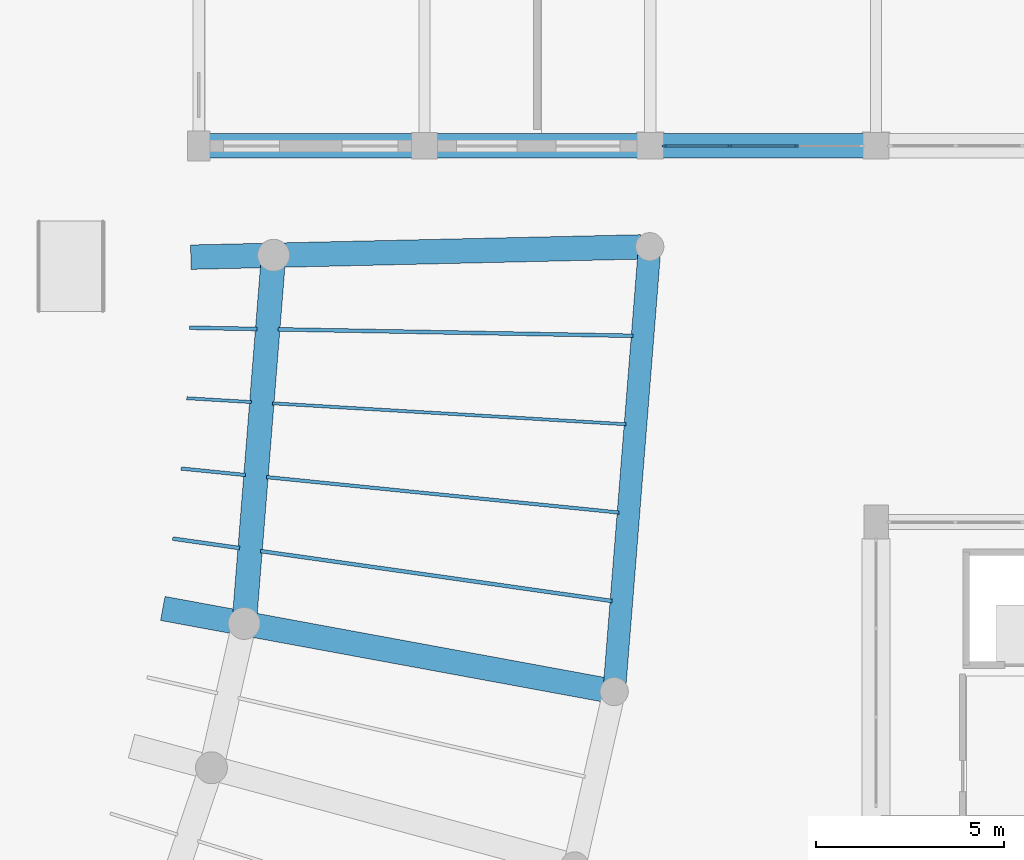
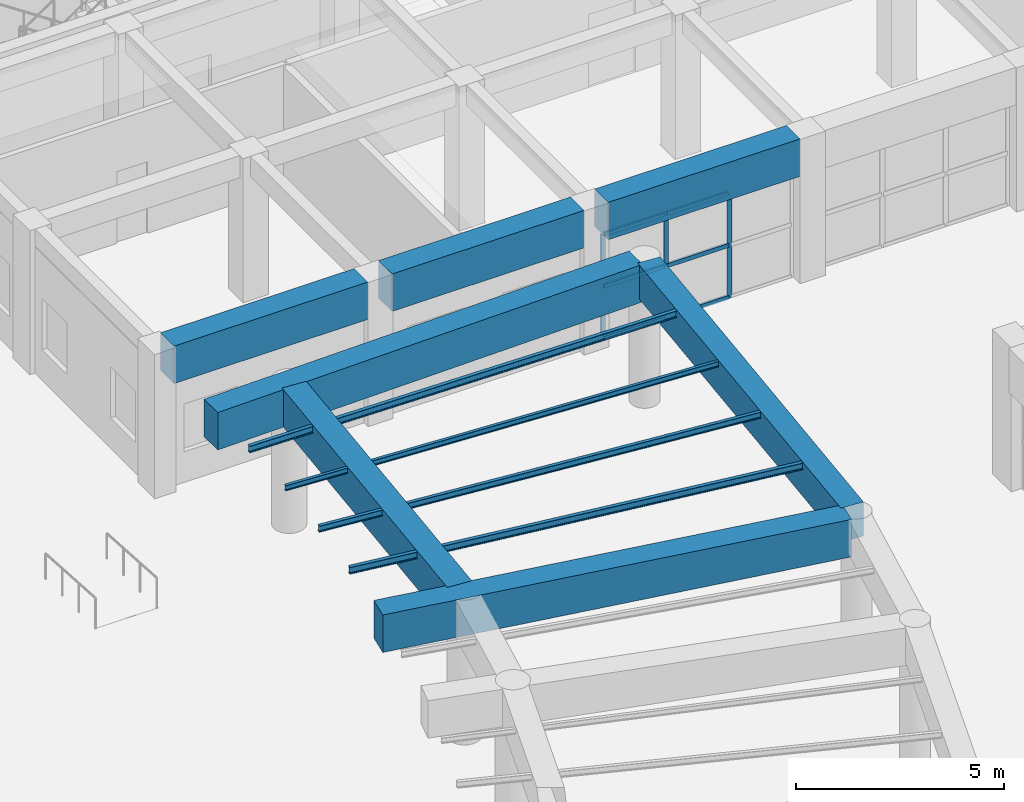
# One storey, part 22 of 76: 15 beams, 9 members, 1 element without a shape of its own.
"""IFC4 building model written with IfcOpenShell, lengths in metres."""

import ifcopenshell
import ifcopenshell.guid

model = None  # the IFC model being written
_history = None  # IfcOwnerHistory: only IFC2X3 demands one
_inside = {}  # id of a spatial element -> (the spatial element, [elements in it])
_under = {}  # id of a project, library or spatial element -> (it, [spatial elements below it])
_declared = {}  # id of a project -> (the project, [libraries it declares])
_typed = {}  # id of a type object -> (the type object, [elements of that type])
_made_of = {}  # id of a material, layer set ... -> (it, [elements and type objects made of it])


def new_model(schema):
    """Start an empty IFC model of exactly this schema.

    Asked for "IFC4X3", IfcOpenShell would pick the latest addendum, in which some entities
    have other attributes; the version numbers below select the first issue.
    IFC2X3 requires an IfcOwnerHistory on every rooted entity: one is made here for all.
    """
    global model, _history
    if schema == "IFC4X3":
        model = ifcopenshell.file(schema_version=(4, 3, 0, 0))
    else:
        model = ifcopenshell.file(schema=schema)
    _inside.clear()
    _under.clear()
    _declared.clear()
    _typed.clear()
    _made_of.clear()
    _history = None
    if model.schema == "IFC2X3":
        org = make("IfcOrganization", Name="unknown")
        user = make(
            "IfcPersonAndOrganization",
            ThePerson=make("IfcPerson", FamilyName="unknown"),
            TheOrganization=org,
        )
        app = make(
            "IfcApplication",
            ApplicationDeveloper=org,
            Version="unknown",
            ApplicationFullName="unknown",
            ApplicationIdentifier="unknown",
        )
        _history = make(
            "IfcOwnerHistory",
            OwningUser=user,
            OwningApplication=app,
            ChangeAction="ADDED",
            CreationDate=0,
        )
    return model


def make(cls, **values):
    """One entity of the class cls with the attributes given. An attribute that is None is left unset."""
    return model.create_entity(
        cls, **{name: value for name, value in values.items() if value is not None}
    )


def rooted(cls, **values):
    """An entity with a GlobalId (a new one), such as an element, a storey or a relation."""
    return make(cls, GlobalId=ifcopenshell.guid.new(), OwnerHistory=_history, **values)


def si_unit(unit_type, name, prefix=None):
    """IfcSIUnit, for example si_unit("LENGTHUNIT", "METRE", prefix="MILLI")."""
    return make("IfcSIUnit", UnitType=unit_type, Prefix=prefix, Name=name)


def assignment(units):
    """IfcUnitAssignment: the units of a project."""
    return None if units is None else make("IfcUnitAssignment", Units=units)


def point(xyz):
    """IfcCartesianPoint."""
    return None if xyz is None else make("IfcCartesianPoint", Coordinates=xyz)


def direction(xyz):
    """IfcDirection."""
    return None if xyz is None else make("IfcDirection", DirectionRatios=xyz)


def frame(location, z_axis=None, x_axis=None):
    """IfcAxis2Placement3D, a coordinate frame: its origin and axes. An axis left out is left unset."""
    return make(
        "IfcAxis2Placement3D",
        Location=point(location),
        Axis=direction(z_axis),
        RefDirection=direction(x_axis),
    )


def frame_2d(location, x_axis=None):
    """IfcAxis2Placement2D, a coordinate frame in the plane: its origin and x axis."""
    return make(
        "IfcAxis2Placement2D", Location=point(location), RefDirection=direction(x_axis)
    )


def origin():
    """The frame at (0, 0, 0) with its axes left unset."""
    return frame((0.0, 0.0, 0.0))


def origin_2d():
    """The frame at (0, 0) in the plane with its x axis left unset."""
    return frame_2d((0.0, 0.0))


def place(relative_to, where):
    """IfcLocalPlacement: puts the frame where relative to a parent placement (None: the world)."""
    return make(
        "IfcLocalPlacement", PlacementRelTo=relative_to, RelativePlacement=where
    )


def context(
    kind, dimensions, precision=None, world=None, true_north=None, identifier=None
):
    """IfcGeometricRepresentationContext, for example the 3D "Model" context."""
    return make(
        "IfcGeometricRepresentationContext",
        ContextIdentifier=identifier,
        ContextType=kind,
        CoordinateSpaceDimension=dimensions,
        Precision=precision,
        WorldCoordinateSystem=world,
        TrueNorth=true_north,
    )


def subcontext(parent, identifier, kind, view, scale=None):
    """IfcGeometricRepresentationSubContext, for example "Body" below "Model"."""
    return make(
        "IfcGeometricRepresentationSubContext",
        ContextIdentifier=identifier,
        ContextType=kind,
        ParentContext=parent,
        TargetScale=scale,
        TargetView=view,
    )


def project(units=None, contexts=None):
    """IfcProject with its units and contexts."""
    return rooted(
        "IfcProject",
        Name="project",
        RepresentationContexts=contexts,
        UnitsInContext=assignment(units),
    )


def spatial(cls, under=None, at=None, **own):
    """A site, building, storey or space (cls), placed at a placement, below another one or the project."""
    s = rooted(cls, ObjectPlacement=at, **own)
    if under is not None:
        _under.setdefault(under.id(), (under, []))[1].append(s)
    return s


def profile(cls, at=None, kind="AREA", **sizes):
    """A parametric profile (cls). Its sizes go by their IFC names, for example OverallWidth=200.0."""
    return make(cls, ProfileType=kind, Position=at, **sizes)


def rectangle(**sizes):
    """IfcRectangleProfileDef."""
    return profile("IfcRectangleProfileDef", **sizes)


def i_section(**sizes):
    """IfcIShapeProfileDef."""
    return profile("IfcIShapeProfileDef", **sizes)


def extrude(swept, where, along, depth):
    """IfcExtrudedAreaSolid: the profile swept, set in the frame where, extruded along a direction by depth."""
    return make(
        "IfcExtrudedAreaSolid",
        SweptArea=swept,
        Position=where,
        ExtrudedDirection=direction(along),
        Depth=depth,
    )


def shape(context_of_items, identifier, shape_type, items):
    """IfcShapeRepresentation: the items that make up one representation, for example the "Body"."""
    return make(
        "IfcShapeRepresentation",
        ContextOfItems=context_of_items,
        RepresentationIdentifier=identifier,
        RepresentationType=shape_type,
        Items=items,
    )


def material(Name=None, Category=None):
    """IfcMaterial."""
    return make("IfcMaterial", Name=Name, Category=Category)


def layer(
    of_material, thickness, ventilated=None, Name=None, Category=None, Priority=None
):
    """IfcMaterialLayer: one layer of a wall or slab, of a material (None: an air gap)."""
    return make(
        "IfcMaterialLayer",
        Material=of_material,
        LayerThickness=thickness,
        IsVentilated=ventilated,
        Name=Name,
        Category=Category,
        Priority=Priority,
    )


def layer_set(layers, Name=None):
    """IfcMaterialLayerSet."""
    return make("IfcMaterialLayerSet", MaterialLayers=layers, LayerSetName=Name)


def material_profile(
    of_material, cross_section, Name=None, Category=None, Priority=None
):
    """IfcMaterialProfile: a cross section and its material."""
    return make(
        "IfcMaterialProfile",
        Name=Name,
        Material=of_material,
        Profile=cross_section,
        Priority=Priority,
        Category=Category,
    )


def profile_set(profiles, Name=None, composite=None):
    """IfcMaterialProfileSet."""
    return make(
        "IfcMaterialProfileSet",
        Name=Name,
        MaterialProfiles=profiles,
        CompositeProfile=composite,
    )


def made_of(thing, what):
    """Note that an element or type object is made of a material, layer set ...; save() writes the relation."""
    if what is not None:
        _made_of.setdefault(what.id(), (what, []))[1].append(thing)
    return thing


def type_object(cls, material=None, **own):
    """A type object (cls), such as IfcWallType, which elements share."""
    return made_of(rooted(cls, **own), material)


def element(
    cls,
    number,
    at=None,
    inside=None,
    cuts=None,
    type_object=None,
    material=None,
    context=None,
    identifier="Body",
    shape_type=None,
    held_by="IfcProductDefinitionShape",
    body=None,
    shapes=None,
    **own,
):
    """One element of the class cls, such as IfcWall. Its Tag is "e" and its number.

    at: its placement. inside: the storey or other place that contains it. cuts: it is an
    opening in that element (IfcRelVoidsElement). A single representation is given by context,
    identifier, shape_type and body (its items); several are given by shapes. held_by: the class
    of the entity that holds the representations. save() writes the other relations.
    """
    e = rooted(cls, Tag="e%d" % number, ObjectPlacement=at, **own)
    if body is not None:
        shapes = [shape(context, identifier, shape_type, body)]
    if shapes is not None:
        e.Representation = make(held_by, Representations=shapes)
    if inside is not None:
        _inside.setdefault(inside.id(), (inside, []))[1].append(e)
    if cuts is not None:
        rooted(
            "IfcRelVoidsElement", RelatingBuildingElement=cuts, RelatedOpeningElement=e
        )
    if type_object is not None:
        _typed.setdefault(type_object.id(), (type_object, []))[1].append(e)
    return made_of(e, material)


def aggregate(whole, parts):
    """IfcRelAggregates: a whole, such as a stair, and the parts it consists of."""
    return rooted("IfcRelAggregates", RelatingObject=whole, RelatedObjects=parts)


def save(model, path):
    """Write the relations noted so far, then the file.

    IfcRelAggregates (storeys below a building ...), IfcRelContainedInSpatialStructure (elements
    in a storey), IfcRelDefinesByType, IfcRelAssociatesMaterial and IfcRelDeclares: one each for
    every whole, place, type object, material and project.
    """
    for whole, parts in _under.values():
        aggregate(whole, parts)
    for where, things in _inside.values():
        rooted(
            "IfcRelContainedInSpatialStructure",
            RelatedElements=things,
            RelatingStructure=where,
        )
    for kind, things in _typed.values():
        rooted("IfcRelDefinesByType", RelatedObjects=things, RelatingType=kind)
    for what, things in _made_of.values():
        rooted("IfcRelAssociatesMaterial", RelatedObjects=things, RelatingMaterial=what)
    for by, libraries in _declared.values():
        rooted("IfcRelDeclares", RelatingContext=by, RelatedDefinitions=libraries)
    model.write(path)


model = new_model("IFC4")

# Units and contexts
model_context = context("Model", 3, precision=1e-05, world=origin(), true_north=direction((0.0, 1.0)))
body_context = subcontext(model_context, "Body", "Model", "MODEL_VIEW")
ifc_project = project(units=[si_unit("LENGTHUNIT", "METRE"), si_unit("AREAUNIT", "SQUARE_METRE"), si_unit("VOLUMEUNIT", "CUBIC_METRE"), si_unit("PLANEANGLEUNIT", "RADIAN"), si_unit("MASSUNIT", "GRAM", prefix="KILO"), si_unit("POWERUNIT", "WATT"), si_unit("THERMODYNAMICTEMPERATUREUNIT", "KELVIN")], contexts=[model_context])

# Site, building, storey
site_placement = place(None, origin())
site = spatial("IfcSite", under=ifc_project, at=site_placement, CompositionType="ELEMENT")
building_placement = place(site_placement, origin())
building = spatial("IfcBuilding", under=site, at=building_placement, Name="Ruvembo Vaulted Housing Court", CompositionType="ELEMENT")
storey_placement = place(building_placement, origin())
storey = spatial("IfcBuildingStorey", under=building, at=storey_placement, Name="L00", CompositionType="ELEMENT", Elevation=0.0)

# Beams
ifc_material_1 = material(Name="Steel S355J2", Category="steel")
ifc_material_profile_1 = material_profile(ifc_material_1, i_section(OverallWidth=0.08203125, OverallDepth=0.159912109375, WebThickness=0.0048828125, FlangeThickness=0.00732421875, FilletRadius=0.009033203125, at=origin_2d()), Name="IPE 160")
ifc_profile_set_1 = profile_set([ifc_material_profile_1], Name="Steel S355J2")
beam_type_1 = type_object("IfcBeamType", Name="BM-ST-IPE160", PredefinedType="JOIST", material=ifc_profile_set_1)
beam_1_placement = place(storey_placement, frame((59.357421875, 70.60107421875, 4.159912109375), z_axis=(-0.998249347831, 0.05914591748, 0.0), x_axis=(-0.05914591748, -0.998249347831, 0.0)))
element("IfcBeam", 1, at=beam_1_placement, inside=storey, type_object=beam_type_1, Name="Scoop SC1 L00 Interior Radial Joist 17", PredefinedType="JOIST", context=body_context, shape_type="SweptSolid", body=[
    extrude(i_section(OverallWidth=0.08203125, OverallDepth=0.159912109375, WebThickness=0.0048828125, FlangeThickness=0.00732421875, FilletRadius=0.009033203125, at=origin_2d()), origin(), (0.0, 0.0, 1.0), 9.419677734375),
])
beam_2_placement = place(storey_placement, frame((49.395263671875, 71.19140625, 4.159912109375), z_axis=(-0.998243369952, 0.059246724348, 0.0), x_axis=(-0.059246724348, -0.998243369952, 0.0)))
element("IfcBeam", 2, at=beam_2_placement, inside=storey, type_object=beam_type_1, Name="Scoop SC1 L00 Radial Balcony Outrigger Joist 17", PredefinedType="JOIST", context=body_context, shape_type="SweptSolid", body=[
    extrude(i_section(OverallWidth=0.08203125, OverallDepth=0.159912109375, WebThickness=0.0048828125, FlangeThickness=0.00732421875, FilletRadius=0.009033203125, at=origin_2d()), origin(), (0.0, 0.0, 1.0), 1.71826171875),
])
ifc_material_profile_2 = material_profile(ifc_material_1, i_section(OverallWidth=0.091064453125, OverallDepth=0.179931640625, WebThickness=0.00537109375, FlangeThickness=0.008056640625, FilletRadius=0.009033203125, at=origin_2d()), Name="IPE 180")
ifc_profile_set_2 = profile_set([ifc_material_profile_2], Name="Steel S355J2")
beam_type_2 = type_object("IfcBeamType", Name="BM-ST-IPE180", PredefinedType="JOIST", material=ifc_profile_set_2)
beam_3_placement = place(storey_placement, frame((59.169921875, 68.254150390625, 4.14990234375), z_axis=(-0.994985476129, 0.100019509557, 0.0), x_axis=(-0.100019509557, -0.994985476129, 0.0)))
element("IfcBeam", 3, at=beam_3_placement, inside=storey, type_object=beam_type_2, Name="Scoop SC1 L00 Interior Radial Joist 16", PredefinedType="JOIST", context=body_context, shape_type="SweptSolid", body=[
    extrude(i_section(OverallWidth=0.091064453125, OverallDepth=0.179931640625, WebThickness=0.00537109375, FlangeThickness=0.008056640625, FilletRadius=0.009033203125, at=origin_2d()), origin(), (0.0, 0.0, 1.0), 9.41943359375),
])
beam_4_placement = place(storey_placement, frame((49.240478515625, 69.252197265625, 4.14990234375), z_axis=(-0.994986426219, 0.10001005769, 0.0), x_axis=(-0.10001005769, -0.994986426219, 0.0)))
element("IfcBeam", 4, at=beam_4_placement, inside=storey, type_object=beam_type_2, Name="Scoop SC1 L00 Radial Balcony Outrigger Joist 16", PredefinedType="JOIST", context=body_context, shape_type="SweptSolid", body=[
    extrude(i_section(OverallWidth=0.091064453125, OverallDepth=0.179931640625, WebThickness=0.00537109375, FlangeThickness=0.008056640625, FilletRadius=0.009033203125, at=origin_2d()), origin(), (0.0, 0.0, 1.0), 1.718505859375),
])
ifc_material_profile_3 = material_profile(ifc_material_1, i_section(OverallWidth=0.10009765625, OverallDepth=0.199951171875, WebThickness=0.005615234375, FlangeThickness=0.008544921875, FilletRadius=0.011962890625, at=origin_2d()), Name="IPE 200")
ifc_profile_set_3 = profile_set([ifc_material_profile_3], Name="Steel S355J2")
beam_type_3 = type_object("IfcBeamType", Name="BM-ST-IPE200", PredefinedType="BEAM", material=ifc_profile_set_3)
beam_5_placement = place(storey_placement, frame((58.98291015625, 65.9033203125, 4.139892578125), z_axis=(-0.990057347835, 0.140664309611, 0.0), x_axis=(-0.140664309611, -0.990057347835, 0.0)))
element("IfcBeam", 5, at=beam_5_placement, inside=storey, type_object=beam_type_3, Name="Scoop SC1 L00 Interior Radial Joist 15", PredefinedType="BEAM", context=body_context, shape_type="SweptSolid", body=[
    extrude(i_section(OverallWidth=0.10009765625, OverallDepth=0.199951171875, WebThickness=0.005615234375, FlangeThickness=0.008544921875, FilletRadius=0.011962890625, at=origin_2d()), origin(), (0.0, 0.0, 1.0), 9.4365234375),
])
beam_6_placement = place(storey_placement, frame((49.085693359375, 67.3095703125, 4.139892578125), z_axis=(-0.990063190714, 0.140623178719, 0.0), x_axis=(-0.140623178719, -0.990063190714, 0.0)))
element("IfcBeam", 6, at=beam_6_placement, inside=storey, type_object=beam_type_3, Name="Scoop SC1 L00 Radial Balcony Outrigger Joist 15", PredefinedType="BEAM", context=body_context, shape_type="SweptSolid", body=[
    extrude(i_section(OverallWidth=0.10009765625, OverallDepth=0.199951171875, WebThickness=0.005615234375, FlangeThickness=0.008544921875, FilletRadius=0.011962890625, at=origin_2d()), origin(), (0.0, 0.0, 1.0), 1.798583984375),
])
beam_7_placement = place(storey_placement, frame((59.545654296875, 72.951904296875, 4.139892578125), z_axis=(-0.999834118425, 0.018213611224, 0.0), x_axis=(-0.018213611224, -0.999834118425, 0.0)))
element("IfcBeam", 7, at=beam_7_placement, inside=storey, type_object=beam_type_3, Name="Scoop SC1 L00 Interior Radial Joist 18", PredefinedType="BEAM", context=body_context, shape_type="SweptSolid", body=[
    extrude(i_section(OverallWidth=0.10009765625, OverallDepth=0.199951171875, WebThickness=0.005615234375, FlangeThickness=0.008544921875, FilletRadius=0.011962890625, at=origin_2d()), origin(), (0.0, 0.0, 1.0), 9.4365234375),
])
beam_8_placement = place(storey_placement, frame((49.55078125, 73.1337890625, 4.139892578125), z_axis=(-0.999834572238, 0.018188682145, 0.0), x_axis=(-0.018188682145, -0.999834572238, 0.0)))
element("IfcBeam", 8, at=beam_8_placement, inside=storey, type_object=beam_type_3, Name="Scoop SC1 L00 Radial Balcony Outrigger Joist 18", PredefinedType="BEAM", context=body_context, shape_type="SweptSolid", body=[
    extrude(i_section(OverallWidth=0.10009765625, OverallDepth=0.199951171875, WebThickness=0.005615234375, FlangeThickness=0.008544921875, FilletRadius=0.011962890625, at=origin_2d()), origin(), (0.0, 0.0, 1.0), 1.798583984375),
])

# Curtain wall, members
ifc_material_2 = material(Name="Anodised Aluminium and Solar-Control Glass", Category="aluminium")
ifc_layer = layer(ifc_material_2, 0.159912109375, Name="Anodised Aluminium and Solar-Control Glass")
ifc_layer_set = layer_set([ifc_layer], Name="Anodised Aluminium and Solar-Control Glass")
curtain_wall_type = type_object("IfcCurtainWallType", Name="CW-LOBBY", PredefinedType="NOTDEFINED", material=ifc_layer_set)
curtain_wall_placement = place(storey_placement, origin())
curtain_wall = element("IfcCurtainWall", 9, at=curtain_wall_placement, inside=storey, type_object=curtain_wall_type, Name="L00 Curtain Wall CW-L00-0003", PredefinedType="NOTDEFINED")
ifc_material_3 = material(Name="Anodised Aluminium 6063-T6", Category="aluminium")
ifc_material_profile_4 = material_profile(ifc_material_3, rectangle(XDim=0.054931640625, YDim=0.1201171875, at=origin_2d()), Name="ALU 55x120")
ifc_profile_set_4 = profile_set([ifc_material_profile_4], Name="Anodised Aluminium 6063-T6")
member_type_1 = type_object("IfcMemberType", Name="CW-MUL-55x120", PredefinedType="MULLION", material=ifc_profile_set_4)
member_1_placement = place(storey_placement, frame((60.37744140625, 78.0, 0.0), z_axis=(0.0, 0.0, 1.0), x_axis=(0.0, 1.0, 0.0)))
member_1 = element("IfcMember", 10, at=member_1_placement, type_object=member_type_1, Name="CW5 mullion 1", PredefinedType="MULLION", context=body_context, shape_type="SweptSolid", body=[
    extrude(rectangle(XDim=0.054931640625, YDim=0.1201171875, at=origin_2d()), origin(), (0.0, 0.0, 1.0), 3.112060546875),
])
member_2_placement = place(storey_placement, frame((62.11669921875, 78.0, 0.0), z_axis=(0.0, 0.0, 1.0), x_axis=(0.0, 1.0, 0.0)))
member_2 = element("IfcMember", 11, at=member_2_placement, type_object=member_type_1, Name="CW5 mullion 2", PredefinedType="MULLION", context=body_context, shape_type="SweptSolid", body=[
    extrude(rectangle(XDim=0.054931640625, YDim=0.1201171875, at=origin_2d()), origin(), (0.0, 0.0, 1.0), 3.112060546875),
])
member_3_placement = place(storey_placement, frame((63.88330078125, 78.0, 0.0), z_axis=(0.0, 0.0, 1.0), x_axis=(0.0, 1.0, 0.0)))
member_3 = element("IfcMember", 12, at=member_3_placement, type_object=member_type_1, Name="CW5 mullion 3", PredefinedType="MULLION", context=body_context, shape_type="SweptSolid", body=[
    extrude(rectangle(XDim=0.054931640625, YDim=0.1201171875, at=origin_2d()), origin(), (0.0, 0.0, 1.0), 3.112060546875),
])
ifc_material_profile_5 = material_profile(ifc_material_3, rectangle(XDim=0.06005859375, YDim=0.1201171875, at=origin_2d()), Name="ALU 60x120")
ifc_profile_set_5 = profile_set([ifc_material_profile_5], Name="Anodised Aluminium 6063-T6")
member_type_2 = type_object("IfcMemberType", Name="CW-TRANSOM-65x120", PredefinedType="USERDEFINED", material=ifc_profile_set_5)
member_4_placement = place(storey_placement, frame((60.405029296875, 78.0, 0.030029296875), z_axis=(1.0, 0.0, 0.0), x_axis=(0.0, 1.0, 0.0)))
member_4 = element("IfcMember", 13, at=member_4_placement, type_object=member_type_2, Name="CW5 transom 1.1", ObjectType="TRANSOM", PredefinedType="USERDEFINED", context=body_context, shape_type="SweptSolid", body=[
    extrude(rectangle(XDim=0.06005859375, YDim=0.1201171875, at=origin_2d()), origin(), (0.0, 0.0, 1.0), 1.68408203125),
])
member_5_placement = place(storey_placement, frame((60.405029296875, 78.0, 1.555908203125), z_axis=(1.0, 0.0, 0.0), x_axis=(0.0, 1.0, 0.0)))
member_5 = element("IfcMember", 14, at=member_5_placement, type_object=member_type_2, Name="CW5 transom 1.2", ObjectType="TRANSOM", PredefinedType="USERDEFINED", context=body_context, shape_type="SweptSolid", body=[
    extrude(rectangle(XDim=0.06005859375, YDim=0.1201171875, at=origin_2d()), origin(), (0.0, 0.0, 1.0), 1.68408203125),
])
member_6_placement = place(storey_placement, frame((60.405029296875, 78.0, 3.08203125), z_axis=(1.0, 0.0, 0.0), x_axis=(0.0, 1.0, 0.0)))
member_6 = element("IfcMember", 15, at=member_6_placement, type_object=member_type_2, Name="CW5 transom 1.3", ObjectType="TRANSOM", PredefinedType="USERDEFINED", context=body_context, shape_type="SweptSolid", body=[
    extrude(rectangle(XDim=0.06005859375, YDim=0.1201171875, at=origin_2d()), origin(), (0.0, 0.0, 1.0), 1.68408203125),
])
member_7_placement = place(storey_placement, frame((62.144287109375, 78.0, 0.030029296875), z_axis=(1.0, 0.0, 0.0), x_axis=(0.0, 1.0, 0.0)))
member_7 = element("IfcMember", 16, at=member_7_placement, type_object=member_type_2, Name="CW5 transom 2.1", ObjectType="TRANSOM", PredefinedType="USERDEFINED", context=body_context, shape_type="SweptSolid", body=[
    extrude(rectangle(XDim=0.06005859375, YDim=0.1201171875, at=origin_2d()), origin(), (0.0, 0.0, 1.0), 1.71142578125),
])
member_8_placement = place(storey_placement, frame((62.144287109375, 78.0, 1.555908203125), z_axis=(1.0, 0.0, 0.0), x_axis=(0.0, 1.0, 0.0)))
member_8 = element("IfcMember", 17, at=member_8_placement, type_object=member_type_2, Name="CW5 transom 2.2", ObjectType="TRANSOM", PredefinedType="USERDEFINED", context=body_context, shape_type="SweptSolid", body=[
    extrude(rectangle(XDim=0.06005859375, YDim=0.1201171875, at=origin_2d()), origin(), (0.0, 0.0, 1.0), 1.71142578125),
])
member_9_placement = place(storey_placement, frame((62.144287109375, 78.0, 3.08203125), z_axis=(1.0, 0.0, 0.0), x_axis=(0.0, 1.0, 0.0)))
member_9 = element("IfcMember", 18, at=member_9_placement, type_object=member_type_2, Name="CW5 transom 2.3", ObjectType="TRANSOM", PredefinedType="USERDEFINED", context=body_context, shape_type="SweptSolid", body=[
    extrude(rectangle(XDim=0.06005859375, YDim=0.1201171875, at=origin_2d()), origin(), (0.0, 0.0, 1.0), 1.71142578125),
])
aggregate(curtain_wall, [member_1, member_2, member_3, member_4, member_5, member_6, member_7, member_8, member_9])

# Beams
ifc_material_4 = material(Name="Concrete C40/50", Category="concrete")
ifc_material_profile_6 = material_profile(ifc_material_4, rectangle(XDim=0.60009765625, YDim=1.0, at=origin_2d()), Name="RC 600x1000")
ifc_profile_set_6 = profile_set([ifc_material_profile_6], Name="Concrete C40/50")
beam_type_4 = type_object("IfcBeamType", Name="TB-RC-600x1000", PredefinedType="BEAM", material=ifc_profile_set_6)
beam_9_placement = place(storey_placement, frame((59.059814453125, 63.734619140625, 3.748046875), z_axis=(0.07959603545, 0.996827202248, 0.0), x_axis=(-0.996827202248, 0.07959603545, 0.0)))
element("IfcBeam", 19, at=beam_9_placement, inside=storey, type_object=beam_type_4, Name="Scoop SC1 Pilotis Transfer Girder B14", PredefinedType="BEAM", context=body_context, shape_type="SweptSolid", body=[
    extrude(rectangle(XDim=0.60009765625, YDim=1.0, at=origin_2d()), origin(), (0.0, 0.0, 1.0), 11.382568359375),
])
ifc_material_profile_7 = material_profile(ifc_material_4, rectangle(XDim=0.64990234375, YDim=1.10009765625, at=origin_2d()), Name="RC 650x1100")
ifc_profile_set_7 = profile_set([ifc_material_profile_7], Name="Concrete C40/50")
beam_type_5 = type_object("IfcBeamType", Name="TB-RC-650x1100", PredefinedType="BEAM", material=ifc_profile_set_7)
beam_10_placement = place(storey_placement, frame((48.284912109375, 78.0, 3.679931640625), z_axis=(1.0, 0.0, 0.0), x_axis=(0.0, 1.0, 0.0)))
element("IfcBeam", 20, at=beam_10_placement, inside=storey, type_object=beam_type_5, Name="L00 Grid Beam X #858", PredefinedType="BEAM", context=body_context, shape_type="SweptSolid", body=[
    extrude(rectangle(XDim=0.64990234375, YDim=1.10009765625, at=origin_2d()), origin(), (0.0, 0.0, 1.0), 5.380126953125),
])
for number, where, z_axis, x_axis, name in (
    (21, (54.3349609375, 78.0, 3.679931640625), (1.0, 0.0, 0.0), (0.0, 1.0, 0.0), "L00 Grid Beam X #859"),
    (22, (60.3349609375, 78.0, 3.679931640625), (1.0, 0.0, 0.0), (0.0, 1.0, 0.0), "L00 Grid Beam X #860"),
):
    element("IfcBeam", number, at=place(storey_placement, frame(where, z_axis=z_axis, x_axis=x_axis)), inside=storey, type_object=beam_type_5, Name=name, PredefinedType="BEAM", context=body_context, shape_type="SweptSolid", body=[
        extrude(rectangle(XDim=0.64990234375, YDim=1.10009765625, at=origin_2d()), origin(), (0.0, 0.0, 1.0), 5.330078125),
    ])
beam_11_placement = place(storey_placement, frame((49.228515625, 65.58544921875, 3.697998046875), z_axis=(0.079592185411, 0.996827509663, 0.0), x_axis=(-0.996827509663, 0.079592185411, 0.0)))
element("IfcBeam", 23, at=beam_11_placement, inside=storey, type_object=beam_type_5, Name="Scoop SC1 Pilotis Transfer Girder F14", PredefinedType="BEAM", context=body_context, shape_type="SweptSolid", body=[
    extrude(rectangle(XDim=0.64990234375, YDim=1.10009765625, at=origin_2d()), origin(), (0.0, 0.0, 1.0), 9.25732421875),
])
beam_12_placement = place(storey_placement, frame((58.8046875, 63.538818359375, 3.697998046875), z_axis=(-0.983463714798, 0.18110527788, 0.0), x_axis=(-0.18110527788, -0.983463714798, 0.0)))
element("IfcBeam", 24, at=beam_12_placement, inside=storey, type_object=beam_type_5, Name="Scoop SC1 Radial Pilotis Transfer Girder 14", PredefinedType="BEAM", context=body_context, shape_type="SweptSolid", body=[
    extrude(rectangle(XDim=0.64990234375, YDim=1.10009765625, at=origin_2d()), origin(), (0.0, 0.0, 1.0), 11.9599609375),
])
beam_13_placement = place(storey_placement, frame((59.7451171875, 75.314697265625, 3.697998046875), z_axis=(-0.999740949561, -0.022760355251, 0.0), x_axis=(0.022760355251, -0.999740949561, 0.0)))
element("IfcBeam", 25, at=beam_13_placement, inside=storey, type_object=beam_type_5, Name="Scoop SC1 Radial Pilotis Transfer Girder 19", PredefinedType="BEAM", context=body_context, shape_type="SweptSolid", body=[
    extrude(rectangle(XDim=0.64990234375, YDim=1.10009765625, at=origin_2d()), origin(), (0.0, 0.0, 1.0), 11.960205078125),
])

save(model, "model.ifc")
